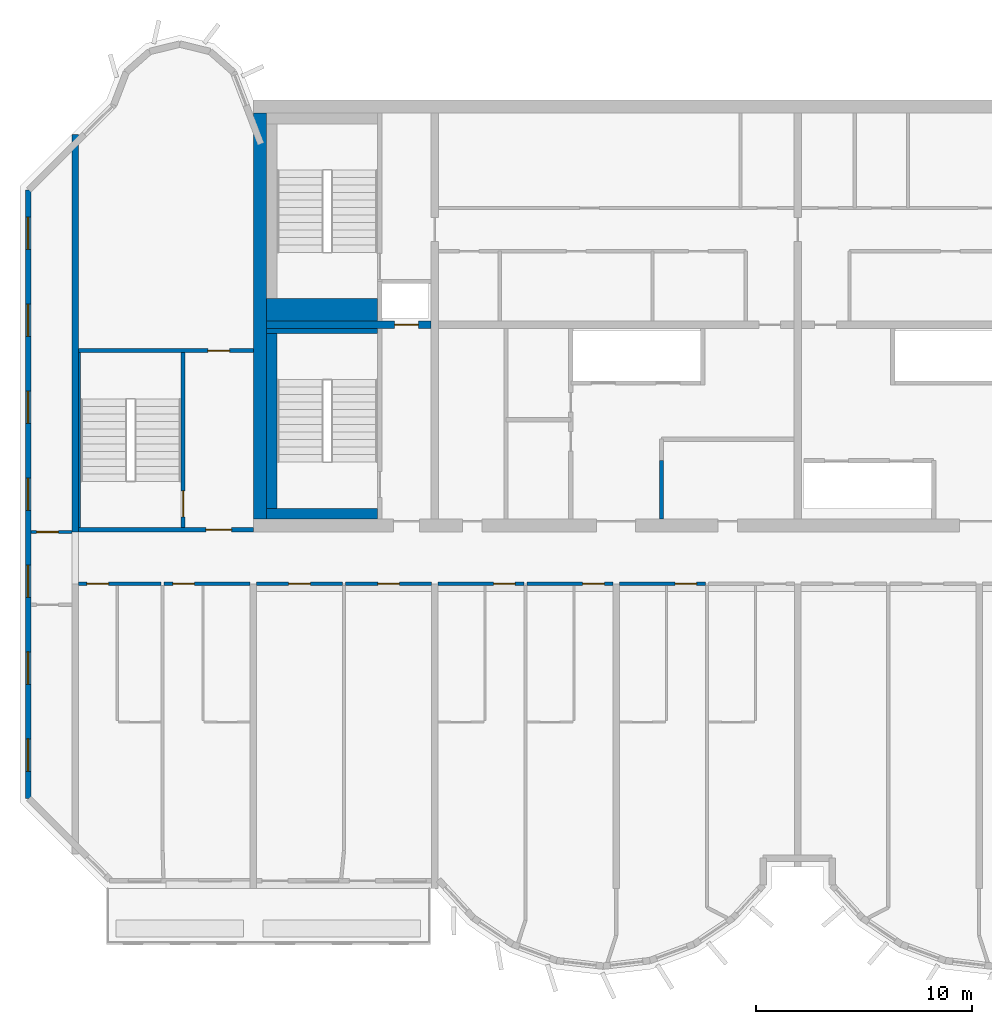
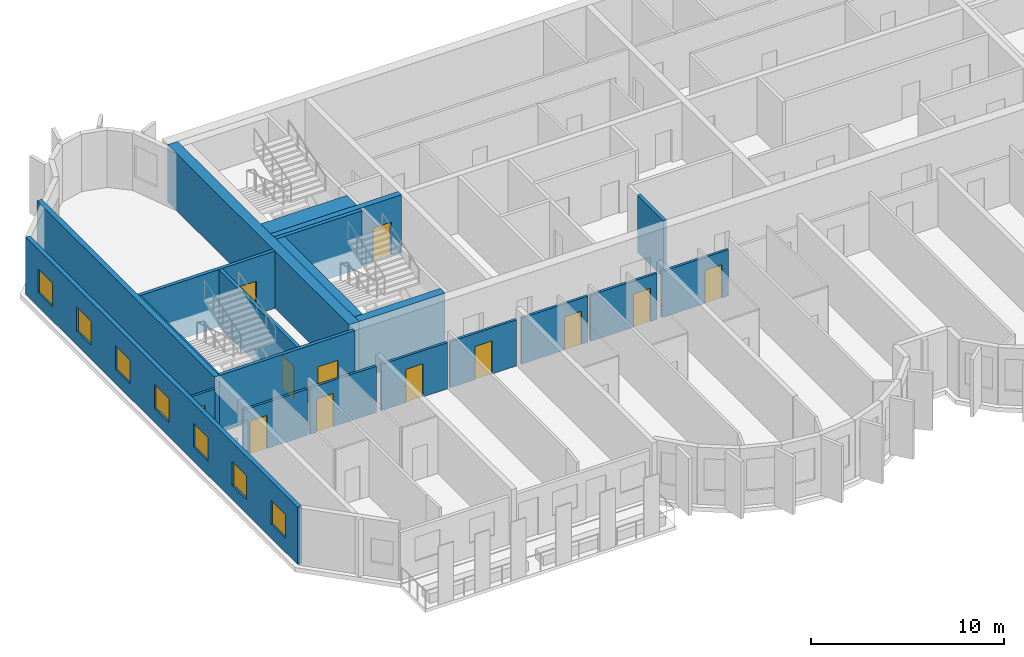
# One storey, part 3 of 11: 21 walls, 12 doors, 7 windows, 19 openings.
"""IFC4 building model written with IfcOpenShell, lengths in metres."""

from ifc_helpers import new_model, si_unit, direction, frame, frame_2d, origin, place, context, subcontext, project, spatial, rectangle, extrude, source, transform, mapped, material, layer, layer_set, type_object, element, fill, save


model = new_model("IFC4")

# Units and contexts
model_context = context("Model", 3, precision=1e-05, world=origin(), true_north=direction((0.0, 1.0)))
body_context = subcontext(model_context, "Body", "Model", "MODEL_VIEW")
ifc_project = project(units=[si_unit("LENGTHUNIT", "METRE"), si_unit("AREAUNIT", "SQUARE_METRE"), si_unit("VOLUMEUNIT", "CUBIC_METRE"), si_unit("PLANEANGLEUNIT", "RADIAN"), si_unit("MASSUNIT", "GRAM", prefix="KILO")], contexts=[model_context])

# Site, building, storey
site_placement = place(None, origin())
site = spatial("IfcSite", under=ifc_project, at=site_placement, CompositionType="ELEMENT")
building_placement = place(site_placement, origin())
building = spatial("IfcBuilding", under=site, at=building_placement, Name="Vanashikhar Sky Hotel", CompositionType="ELEMENT")
storey_placement = place(building_placement, frame((0.0, 0.0, 245.199951171875)))
storey = spatial("IfcBuildingStorey", under=building, at=storey_placement, Name="L59", CompositionType="ELEMENT", Elevation=245.199951171875)

# Wall
ifc_material_1 = material(Name="Concrete M60", Category="concrete")
ifc_layer_1 = layer(ifc_material_1, 0.60009765625)
ifc_layer_set_1 = layer_set([ifc_layer_1], Name="RC core shell wall 600 Concrete M60")
wall_type_1 = type_object("IfcWallType", Name="RC core shell wall 600 Concrete M60", PredefinedType="SHEAR", material=ifc_layer_set_1)
shared_shape_1 = source(origin(), body_context, "Body", "SweptSolid", [
    extrude(rectangle(XDim=18.7998046875, YDim=0.60009765625, at=frame_2d((9.39990234375, 0.0))), origin(), (0.0, 0.0, 1.0), 3.6201171875),
])
wall_1_placement = place(storey_placement, frame((25.5, 22.60009765625, 0.0), z_axis=(0.0, 0.0, 1.0), x_axis=(0.0, 1.0, 0.0)))
element("IfcWall", 1, at=wall_1_placement, inside=storey, type_object=wall_type_1, Name="KW-L59-KW", PredefinedType="SHEAR", context=body_context, shape_type="MappedRepresentation", body=[
    mapped(shared_shape_1, transform((0.0, 0.0, 0.0), scale=1.0)),
])

# Wall, opening, door
ifc_layer_2 = layer(ifc_material_1, 0.35009765625)
ifc_layer_set_2 = layer_set([ifc_layer_2], Name="RC core inner wall 350 Concrete M60")
wall_type_2 = type_object("IfcWallType", Name="RC core inner wall 350 Concrete M60", PredefinedType="SHEAR", material=ifc_layer_set_2)
shared_shape_2 = source(origin(), body_context, "Body", "SweptSolid", [
    extrude(rectangle(XDim=7.625, YDim=0.35009765625, at=frame_2d((3.8125, 0.0))), origin(), (0.0, 0.0, 1.0), 3.6201171875),
])
wall_2_placement = place(storey_placement, frame((25.800048828125, 31.60009765625, 0.0), z_axis=(0.0, 0.0, 1.0), x_axis=(1.0, 0.0, 0.0)))
wall_2 = element("IfcWall", 2, at=wall_2_placement, inside=storey, type_object=wall_type_2, Name="KW-L59-KY1", PredefinedType="SHEAR", context=body_context, shape_type="MappedRepresentation", body=[
    mapped(shared_shape_2, transform((0.0, 0.0, 0.0), scale=1.0)),
])
shared_shape_3 = source(origin(), body_context, "Body", "SweptSolid", [
    extrude(rectangle(XDim=1.10009765625, YDim=2.10009765625, at=frame_2d((0.550048828125, 1.050048828125))), frame((0.0, 0.18505859375, 0.0), z_axis=(0.0, -1.0, 0.0), x_axis=(1.0, 0.0, 0.0)), (0.0, 0.0, 1.0), 0.3701171875),
])
opening_1_placement = place(wall_2_placement, frame((5.93798828125, 0.0, 0.0)))
opening_1 = element("IfcOpeningElement", 3, at=opening_1_placement, cuts=wall_2, Name="Opening LD", PredefinedType="OPENING", context=body_context, shape_type="MappedRepresentation", body=[
    mapped(shared_shape_3, transform((0.0, 0.0, 0.0), scale=1.0)),
])
ifc_material_2 = material(Name="Stainless steel", Category="steel")
door_type_1 = type_object("IfcDoorType", Name="Lift landing door 1100", OperationType="NOTDEFINED", PredefinedType="DOOR", material=ifc_material_2)
shared_shape_4 = source(origin(), body_context, "Body", "SweptSolid", [
    extrude(rectangle(XDim=1.10009765625, YDim=2.10009765625, at=frame_2d((0.550048828125, 1.050048828125))), frame((0.0, 0.02490234375, 0.0), z_axis=(0.0, -1.0, 0.0), x_axis=(1.0, 0.0, 0.0)), (0.0, 0.0, 1.0), 0.050048828125),
])
door_1_placement = place(opening_1_placement, origin())
door_1 = element("IfcDoor", 4, at=door_1_placement, inside=storey, type_object=door_type_1, Name="Lift landing door 1100", OperationType="SLIDING_TO_RIGHT", OverallHeight=2.10009765625, OverallWidth=1.10009765625, PredefinedType="DOOR", context=body_context, shape_type="MappedRepresentation", body=[
    mapped(shared_shape_4, transform((0.0, 0.0, 0.0), scale=1.0)),
])
fill(opening_1, door_1)

# Wall
ifc_layer_3 = layer(ifc_material_1, 0.300048828125)
ifc_layer_set_3 = layer_set([ifc_layer_3], Name="RC shear wall 300 Concrete M60")
wall_type_3 = type_object("IfcWallType", Name="RC shear wall 300 Concrete M60", PredefinedType="SHEAR", material=ifc_layer_set_3)
shared_shape_5 = source(origin(), body_context, "Body", "SweptSolid", [
    extrude(rectangle(XDim=18.39990234375, YDim=0.300048828125, at=frame_2d((9.199951171875, 0.0))), origin(), (0.0, 0.0, 1.0), 3.6201171875),
])
wall_3_placement = place(storey_placement, frame((16.949951171875, 22.0, 0.0), z_axis=(0.0, 0.0, 1.0), x_axis=(0.0, 1.0, 0.0)))
element("IfcWall", 5, at=wall_3_placement, inside=storey, type_object=wall_type_3, Name="CW-L59-XW03-2", PredefinedType="SHEAR", context=body_context, shape_type="MappedRepresentation", body=[
    mapped(shared_shape_5, transform((0.0, 0.0, 0.0), scale=1.0)),
])

# Wall, openings, windows
ifc_material_3 = material(Name="Concrete M50", Category="concrete")
ifc_layer_4 = layer(ifc_material_3, 0.25)
ifc_layer_set_4 = layer_set([ifc_layer_4], Name="Rear and end board-marked wall 250")
wall_type_4 = type_object("IfcWallType", Name="Rear and end board-marked wall 250", PredefinedType="SOLIDWALL", material=ifc_layer_set_4)
shared_shape_6 = source(origin(), body_context, "Body", "SweptSolid", [
    extrude(rectangle(XDim=28.189453125, YDim=0.25, at=frame_2d((14.0947265625, 0.0))), origin(), (0.0, 0.0, 1.0), 3.6201171875),
])
wall_4_placement = place(storey_placement, frame((14.77490234375, 37.8447265625, 0.0), z_axis=(0.0, 0.0, 1.0), x_axis=(0.0, -1.0, 0.0)))
wall_4 = element("IfcWall", 6, at=wall_4_placement, inside=storey, type_object=wall_type_4, Name="End board-marked wall", PredefinedType="SOLIDWALL", context=body_context, shape_type="MappedRepresentation", body=[
    mapped(shared_shape_6, transform((0.0, 0.0, 0.0), scale=1.0)),
])
shared_shape_7 = source(origin(), body_context, "Body", "SweptSolid", [
    extrude(rectangle(XDim=1.5, YDim=1.5, at=frame_2d((0.75, 0.75))), frame((0.0, 0.135009765625, 0.0), z_axis=(0.0, -1.0, 0.0), x_axis=(1.0, 0.0, 0.0)), (0.0, 0.0, 1.0), 0.27001953125),
])
opening_2_placement = place(wall_4_placement, frame((1.263427734375, 0.0, 0.89990234375)))
opening_2 = element("IfcOpeningElement", 7, at=opening_2_placement, cuts=wall_4, Name="Opening WN-1", PredefinedType="OPENING", context=body_context, shape_type="MappedRepresentation", body=[
    mapped(shared_shape_7, transform((0.0, 0.0, 0.0), scale=1.0)),
])
opening_3_placement = place(wall_4_placement, frame((5.29052734375, 0.0, 0.89990234375)))
opening_3 = element("IfcOpeningElement", 8, at=opening_3_placement, cuts=wall_4, Name="Opening WN-1", PredefinedType="OPENING", context=body_context, shape_type="MappedRepresentation", body=[
    mapped(shared_shape_7, transform((0.0, 0.0, 0.0), scale=1.0)),
])
opening_4_placement = place(wall_4_placement, frame((9.317626953125, 0.0, 0.89990234375)))
opening_4 = element("IfcOpeningElement", 9, at=opening_4_placement, cuts=wall_4, Name="Opening WN-1", PredefinedType="OPENING", context=body_context, shape_type="MappedRepresentation", body=[
    mapped(shared_shape_7, transform((0.0, 0.0, 0.0), scale=1.0)),
])
opening_5_placement = place(wall_4_placement, frame((13.3447265625, 0.0, 0.89990234375)))
opening_5 = element("IfcOpeningElement", 10, at=opening_5_placement, cuts=wall_4, Name="Opening WN-1", PredefinedType="OPENING", context=body_context, shape_type="MappedRepresentation", body=[
    mapped(shared_shape_7, transform((0.0, 0.0, 0.0), scale=1.0)),
])
opening_6_placement = place(wall_4_placement, frame((17.371826171875, 0.0, 0.89990234375)))
opening_6 = element("IfcOpeningElement", 11, at=opening_6_placement, cuts=wall_4, Name="Opening WN-1", PredefinedType="OPENING", context=body_context, shape_type="MappedRepresentation", body=[
    mapped(shared_shape_7, transform((0.0, 0.0, 0.0), scale=1.0)),
])
opening_7_placement = place(wall_4_placement, frame((21.398681640625, 0.0, 0.89990234375)))
opening_7 = element("IfcOpeningElement", 12, at=opening_7_placement, cuts=wall_4, Name="Opening WN-1", PredefinedType="OPENING", context=body_context, shape_type="MappedRepresentation", body=[
    mapped(shared_shape_7, transform((0.0, 0.0, 0.0), scale=1.0)),
])
opening_8_placement = place(wall_4_placement, frame((25.42578125, 0.0, 0.89990234375)))
opening_8 = element("IfcOpeningElement", 13, at=opening_8_placement, cuts=wall_4, Name="Opening WN-1", PredefinedType="OPENING", context=body_context, shape_type="MappedRepresentation", body=[
    mapped(shared_shape_7, transform((0.0, 0.0, 0.0), scale=1.0)),
])
ifc_material_4 = material(Name="Glass", Category="glass")
window_type = type_object("IfcWindowType", Name="Window 1500 x 1500", PartitioningType="SINGLE_PANEL", PredefinedType="WINDOW", material=ifc_material_4)
shared_shape_8 = source(origin(), body_context, "Body", "SweptSolid", [
    extrude(rectangle(XDim=1.5, YDim=1.5, at=frame_2d((0.75, 0.75))), frame((0.0, 0.030029296875, 0.0), z_axis=(0.0, -1.0, 0.0), x_axis=(1.0, 0.0, 0.0)), (0.0, 0.0, 1.0), 0.06005859375),
])
window_1_placement = place(opening_2_placement, origin())
window_1 = element("IfcWindow", 14, at=window_1_placement, inside=storey, type_object=window_type, Name="Window WN-1", OverallHeight=1.5, OverallWidth=1.5, PartitioningType="SINGLE_PANEL", PredefinedType="WINDOW", context=body_context, shape_type="MappedRepresentation", body=[
    mapped(shared_shape_8, transform((0.0, 0.0, 0.0), scale=1.0)),
])
fill(opening_2, window_1)
window_2_placement = place(opening_3_placement, origin())
window_2 = element("IfcWindow", 15, at=window_2_placement, inside=storey, type_object=window_type, Name="Window WN-1", OverallHeight=1.5, OverallWidth=1.5, PartitioningType="SINGLE_PANEL", PredefinedType="WINDOW", context=body_context, shape_type="MappedRepresentation", body=[
    mapped(shared_shape_8, transform((0.0, 0.0, 0.0), scale=1.0)),
])
fill(opening_3, window_2)
window_3_placement = place(opening_4_placement, origin())
window_3 = element("IfcWindow", 16, at=window_3_placement, inside=storey, type_object=window_type, Name="Window WN-1", OverallHeight=1.5, OverallWidth=1.5, PartitioningType="SINGLE_PANEL", PredefinedType="WINDOW", context=body_context, shape_type="MappedRepresentation", body=[
    mapped(shared_shape_8, transform((0.0, 0.0, 0.0), scale=1.0)),
])
fill(opening_4, window_3)
window_4_placement = place(opening_5_placement, origin())
window_4 = element("IfcWindow", 17, at=window_4_placement, inside=storey, type_object=window_type, Name="Window WN-1", OverallHeight=1.5, OverallWidth=1.5, PartitioningType="SINGLE_PANEL", PredefinedType="WINDOW", context=body_context, shape_type="MappedRepresentation", body=[
    mapped(shared_shape_8, transform((0.0, 0.0, 0.0), scale=1.0)),
])
fill(opening_5, window_4)
window_5_placement = place(opening_6_placement, origin())
window_5 = element("IfcWindow", 18, at=window_5_placement, inside=storey, type_object=window_type, Name="Window WN-1", OverallHeight=1.5, OverallWidth=1.5, PartitioningType="SINGLE_PANEL", PredefinedType="WINDOW", context=body_context, shape_type="MappedRepresentation", body=[
    mapped(shared_shape_8, transform((0.0, 0.0, 0.0), scale=1.0)),
])
fill(opening_6, window_5)
window_6_placement = place(opening_7_placement, origin())
window_6 = element("IfcWindow", 19, at=window_6_placement, inside=storey, type_object=window_type, Name="Window WN-1", OverallHeight=1.5, OverallWidth=1.5, PartitioningType="SINGLE_PANEL", PredefinedType="WINDOW", context=body_context, shape_type="MappedRepresentation", body=[
    mapped(shared_shape_8, transform((0.0, 0.0, 0.0), scale=1.0)),
])
fill(opening_7, window_6)
window_7_placement = place(opening_8_placement, origin())
window_7 = element("IfcWindow", 20, at=window_7_placement, inside=storey, type_object=window_type, Name="Window WN-1", OverallHeight=1.5, OverallWidth=1.5, PartitioningType="SINGLE_PANEL", PredefinedType="WINDOW", context=body_context, shape_type="MappedRepresentation", body=[
    mapped(shared_shape_8, transform((0.0, 0.0, 0.0), scale=1.0)),
])
fill(opening_8, window_7)

# Wall
ifc_material_5 = material(Name="Gypsum board partition")
ifc_layer_5 = layer(ifc_material_5, 0.14990234375)
ifc_layer_set_5 = layer_set([ifc_layer_5], Name="Service partition 150")
wall_type_5 = type_object("IfcWallType", Name="Service partition 150", PredefinedType="PARTITIONING", material=ifc_layer_set_5)
shared_shape_9 = source(origin(), body_context, "Body", "SweptSolid", [
    extrude(rectangle(XDim=2.699951171875, YDim=0.199951171875, at=frame_2d((1.35009765625, 0.0))), origin(), (0.0, 0.0, 1.0), 3.6201171875),
])
wall_5_placement = place(storey_placement, frame((44.10009765625, 22.60009765625, 0.0), z_axis=(0.0, 0.0, 1.0), x_axis=(0.0, 1.0, 0.0)))
element("IfcWall", 21, at=wall_5_placement, inside=storey, type_object=wall_type_5, Name="Service partition 150", PredefinedType="PARTITIONING", context=body_context, shape_type="MappedRepresentation", body=[
    mapped(shared_shape_9, transform((0.0, 0.0, 0.0), scale=1.0)),
])

# Wall, opening, door
ifc_layer_6 = layer(ifc_material_3, 0.199951171875)
ifc_layer_set_6 = layer_set([ifc_layer_6], Name="Stair wall 200")
wall_type_6 = type_object("IfcWallType", Name="Stair wall 200", PredefinedType="SOLIDWALL", material=ifc_layer_set_6)
shared_shape_10 = source(origin(), body_context, "Body", "SweptSolid", [
    extrude(rectangle(XDim=8.2998046875, YDim=0.199951171875, at=frame_2d((4.14990234375, 0.0))), origin(), (0.0, 0.0, 1.0), 3.6201171875),
])
wall_6_placement = place(storey_placement, frame((21.949951171875, 22.10009765625, 0.0), z_axis=(0.0, 0.0, 1.0), x_axis=(0.0, 1.0, 0.0)))
wall_6 = element("IfcWall", 22, at=wall_6_placement, inside=storey, type_object=wall_type_6, Name="Stair wall 200", PredefinedType="SOLIDWALL", context=body_context, shape_type="MappedRepresentation", body=[
    mapped(shared_shape_10, transform((0.0, 0.0, 0.0), scale=1.0)),
])
shared_shape_11 = source(origin(), body_context, "Body", "SweptSolid", [
    extrude(rectangle(XDim=1.199951171875, YDim=2.10009765625, at=frame_2d((0.60009765625, 1.050048828125))), frame((0.0, 0.10986328125, 0.0), z_axis=(0.0, -1.0, 0.0), x_axis=(1.0, 0.0, 0.0)), (0.0, 0.0, 1.0), 0.219970703125),
])
opening_9_placement = place(wall_6_placement, frame((0.60009765625, 0.0, 0.0)))
opening_9 = element("IfcOpeningElement", 23, at=opening_9_placement, cuts=wall_6, Name="Opening DC-1", PredefinedType="OPENING", context=body_context, shape_type="MappedRepresentation", body=[
    mapped(shared_shape_11, transform((0.0, 0.0, 0.0), scale=1.0)),
])
ifc_material_6 = material(Name="Steel", Category="steel")
door_type_2 = type_object("IfcDoorType", Name="Stair door 1200 FD120", OperationType="NOTDEFINED", PredefinedType="DOOR", material=ifc_material_6)
shared_shape_12 = source(origin(), body_context, "Body", "SweptSolid", [
    extrude(rectangle(XDim=1.199951171875, YDim=2.10009765625, at=frame_2d((0.60009765625, 1.050048828125))), frame((0.0, 0.02490234375, 0.0), z_axis=(0.0, -1.0, 0.0), x_axis=(1.0, 0.0, 0.0)), (0.0, 0.0, 1.0), 0.050048828125),
])
door_2_placement = place(opening_9_placement, origin())
door_2 = element("IfcDoor", 24, at=door_2_placement, inside=storey, type_object=door_type_2, Name="Stair door 1200 FD120", OperationType="SINGLE_SWING_RIGHT", OverallHeight=2.10009765625, OverallWidth=1.199951171875, PredefinedType="DOOR", context=body_context, shape_type="MappedRepresentation", body=[
    mapped(shared_shape_12, transform((0.0, 0.0, 0.0), scale=1.0)),
])
fill(opening_9, door_2)

shared_shape_13 = source(origin(), body_context, "Body", "SweptSolid", [
    extrude(rectangle(XDim=8.099853515625, YDim=0.199951171875, at=frame_2d((4.0498046875, 0.0))), origin(), (0.0, 0.0, 1.0), 3.6201171875),
])
wall_7_placement = place(storey_placement, frame((17.10009765625, 22.10009765625, 0.0), z_axis=(0.0, 0.0, 1.0), x_axis=(1.0, 0.0, 0.0)))
wall_7 = element("IfcWall", 25, at=wall_7_placement, inside=storey, type_object=wall_type_6, Name="Stair wall 200", PredefinedType="SOLIDWALL", context=body_context, shape_type="MappedRepresentation", body=[
    mapped(shared_shape_13, transform((0.0, 0.0, 0.0), scale=1.0)),
])
opening_10_placement = place(wall_7_placement, frame((5.89990234375, 0.0, 0.0)))
opening_10 = element("IfcOpeningElement", 26, at=opening_10_placement, cuts=wall_7, Name="Opening DC-2", PredefinedType="OPENING", context=body_context, shape_type="MappedRepresentation", body=[
    mapped(shared_shape_11, transform((0.0, 0.0, 0.0), scale=1.0)),
])
door_type_3 = type_object("IfcDoorType", Name="Firefighting lobby door 1200 FD120", OperationType="NOTDEFINED", PredefinedType="DOOR", material=ifc_material_6)
door_3_placement = place(opening_10_placement, origin())
door_3 = element("IfcDoor", 27, at=door_3_placement, inside=storey, type_object=door_type_3, Name="Firefighting lobby door 1200 FD120", OperationType="SINGLE_SWING_LEFT", OverallHeight=2.10009765625, OverallWidth=1.199951171875, PredefinedType="DOOR", context=body_context, shape_type="MappedRepresentation", body=[
    mapped(shared_shape_12, transform((0.0, 0.0, 0.0), scale=1.0)),
])
fill(opening_10, door_3)

wall_8_placement = place(storey_placement, frame((17.10009765625, 30.39990234375, 0.0), z_axis=(0.0, 0.0, 1.0), x_axis=(1.0, 0.0, 0.0)))
wall_8 = element("IfcWall", 28, at=wall_8_placement, inside=storey, type_object=wall_type_6, Name="Stair wall 200", PredefinedType="SOLIDWALL", context=body_context, shape_type="MappedRepresentation", body=[
    mapped(shared_shape_13, transform((0.0, 0.0, 0.0), scale=1.0)),
])
shared_shape_14 = source(origin(), body_context, "Body", "SweptSolid", [
    extrude(rectangle(XDim=1.0, YDim=2.10009765625, at=frame_2d((0.5, 1.050048828125))), frame((0.0, 0.10986328125, 0.0), z_axis=(0.0, -1.0, 0.0), x_axis=(1.0, 0.0, 0.0)), (0.0, 0.0, 1.0), 0.219970703125),
])
opening_11_placement = place(wall_8_placement, frame((6.0, 0.0, 0.0)))
opening_11 = element("IfcOpeningElement", 29, at=opening_11_placement, cuts=wall_8, Name="Opening DC-6", PredefinedType="OPENING", context=body_context, shape_type="MappedRepresentation", body=[
    mapped(shared_shape_14, transform((0.0, 0.0, 0.0), scale=1.0)),
])
door_type_4 = type_object("IfcDoorType", Name="Pocket door 1000 FD60", OperationType="NOTDEFINED", PredefinedType="DOOR", material=ifc_material_6)
shared_shape_15 = source(origin(), body_context, "Body", "SweptSolid", [
    extrude(rectangle(XDim=1.0, YDim=2.10009765625, at=frame_2d((0.5, 1.050048828125))), frame((0.0, 0.02490234375, 0.0), z_axis=(0.0, -1.0, 0.0), x_axis=(1.0, 0.0, 0.0)), (0.0, 0.0, 1.0), 0.050048828125),
])
door_4_placement = place(opening_11_placement, origin())
door_4 = element("IfcDoor", 30, at=door_4_placement, inside=storey, type_object=door_type_4, Name="Pocket door 1000 FD60", OperationType="SINGLE_SWING_LEFT", OverallHeight=2.10009765625, OverallWidth=1.0, PredefinedType="DOOR", context=body_context, shape_type="MappedRepresentation", body=[
    mapped(shared_shape_15, transform((0.0, 0.0, 0.0), scale=1.0)),
])
fill(opening_11, door_4)

# Walls
ifc_layer_7 = layer(ifc_material_3, 0.5)
ifc_layer_set_7 = layer_set([ifc_layer_7], Name="Stair infill wall 500")
wall_type_7 = type_object("IfcWallType", Name="Stair infill wall 500", PredefinedType="SOLIDWALL", material=ifc_layer_set_7)
shared_shape_16 = source(origin(), body_context, "Body", "SweptSolid", [
    extrude(rectangle(XDim=5.14990234375, YDim=0.5, at=frame_2d((2.574951171875, 0.0))), origin(), (0.0, 0.0, 1.0), 3.6201171875),
])
wall_9_placement = place(storey_placement, frame((25.800048828125, 22.85009765625, 0.0), z_axis=(0.0, 0.0, 1.0), x_axis=(1.0, 0.0, 0.0)))
element("IfcWall", 31, at=wall_9_placement, inside=storey, type_object=wall_type_7, Name="Stair infill wall 500", PredefinedType="SOLIDWALL", context=body_context, shape_type="MappedRepresentation", body=[
    mapped(shared_shape_16, transform((0.0, 0.0, 0.0), scale=1.0)),
])
ifc_layer_8 = layer(ifc_material_3, 0.22509765625)
ifc_layer_set_8 = layer_set([ifc_layer_8], Name="Stair infill wall 225")
wall_type_8 = type_object("IfcWallType", Name="Stair infill wall 225", PredefinedType="SOLIDWALL", material=ifc_layer_set_8)
shared_shape_17 = source(origin(), body_context, "Body", "SweptSolid", [
    extrude(rectangle(XDim=5.14990234375, YDim=0.22509765625, at=frame_2d((2.574951171875, 0.0))), origin(), (0.0, 0.0, 1.0), 3.6201171875),
])
wall_10_placement = place(storey_placement, frame((25.800048828125, 31.31201171875, 0.0), z_axis=(0.0, 0.0, 1.0), x_axis=(1.0, 0.0, 0.0)))
element("IfcWall", 32, at=wall_10_placement, inside=storey, type_object=wall_type_8, Name="Stair infill wall 225", PredefinedType="SOLIDWALL", context=body_context, shape_type="MappedRepresentation", body=[
    mapped(shared_shape_17, transform((0.0, 0.0, 0.0), scale=1.0)),
])
shared_shape_18 = source(origin(), body_context, "Body", "SweptSolid", [
    extrude(rectangle(XDim=8.099853515625, YDim=0.5, at=frame_2d((4.0498046875, 0.0))), origin(), (0.0, 0.0, 1.0), 3.6201171875),
])
wall_11_placement = place(storey_placement, frame((26.050048828125, 23.10009765625, 0.0), z_axis=(0.0, 0.0, 1.0), x_axis=(0.0, 1.0, 0.0)))
element("IfcWall", 33, at=wall_11_placement, inside=storey, type_object=wall_type_7, Name="Stair infill wall 500", PredefinedType="SOLIDWALL", context=body_context, shape_type="MappedRepresentation", body=[
    mapped(shared_shape_18, transform((0.0, 0.0, 0.0), scale=1.0)),
])
ifc_layer_9 = layer(ifc_material_3, 0.10009765625)
ifc_layer_set_9 = layer_set([ifc_layer_9], Name="Stair infill wall 100")
wall_type_9 = type_object("IfcWallType", Name="Stair infill wall 100", PredefinedType="SOLIDWALL", material=ifc_layer_set_9)
shared_shape_19 = source(origin(), body_context, "Body", "SweptSolid", [
    extrude(rectangle(XDim=8.10009765625, YDim=0.10009765625, at=frame_2d((4.050048828125, 0.0))), origin(), (0.0, 0.0, 1.0), 3.6201171875),
])
wall_12_placement = place(storey_placement, frame((17.14990234375, 22.199951171875, 0.0), z_axis=(0.0, 0.0, 1.0), x_axis=(0.0, 1.0, 0.0)))
element("IfcWall", 34, at=wall_12_placement, inside=storey, type_object=wall_type_9, Name="Stair infill wall 100", PredefinedType="SOLIDWALL", context=body_context, shape_type="MappedRepresentation", body=[
    mapped(shared_shape_19, transform((0.0, 0.0, 0.0), scale=1.0)),
])
ifc_layer_10 = layer(ifc_material_3, 1.02490234375)
ifc_layer_set_10 = layer_set([ifc_layer_10], Name="Stair infill wall 1025")
wall_type_10 = type_object("IfcWallType", Name="Stair infill wall 1025", PredefinedType="SOLIDWALL", material=ifc_layer_set_10)
shared_shape_20 = source(origin(), body_context, "Body", "SweptSolid", [
    extrude(rectangle(XDim=5.14990234375, YDim=1.02490234375, at=frame_2d((2.574951171875, 0.0))), origin(), (0.0, 0.0, 1.0), 3.6201171875),
])
wall_13_placement = place(storey_placement, frame((25.800048828125, 32.287109375, 0.0), z_axis=(0.0, 0.0, 1.0), x_axis=(1.0, 0.0, 0.0)))
element("IfcWall", 35, at=wall_13_placement, inside=storey, type_object=wall_type_10, Name="Stair infill wall 1025", PredefinedType="SOLIDWALL", context=body_context, shape_type="MappedRepresentation", body=[
    mapped(shared_shape_20, transform((0.0, 0.0, 0.0), scale=1.0)),
])

# Wall, opening, door
ifc_material_7 = material(Name="Gypsum plasterboard partition")
ifc_layer_11 = layer(ifc_material_7, 0.14990234375)
ifc_layer_set_11 = layer_set([ifc_layer_11], Name="Corridor and demising partition 150")
wall_type_11 = type_object("IfcWallType", Name="Corridor and demising partition 150", PredefinedType="PARTITIONING", material=ifc_layer_set_11)
shared_shape_21 = source(origin(), body_context, "Body", "SweptSolid", [
    extrude(rectangle(XDim=3.824951171875, YDim=0.14990234375, at=frame_2d((1.91259765625, 0.0))), origin(), (0.0, 0.0, 1.0), 2.920166015625),
])
wall_14_placement = place(storey_placement, frame((17.10009765625, 19.60009765625, 0.0), z_axis=(0.0, 0.0, 1.0), x_axis=(1.0, 0.0, 0.0)))
wall_14 = element("IfcWall", 36, at=wall_14_placement, inside=storey, type_object=wall_type_11, Name="W-L59-PW003", PredefinedType="PARTITIONING", context=body_context, shape_type="MappedRepresentation", body=[
    mapped(shared_shape_21, transform((0.0, 0.0, 0.0), scale=1.0)),
])
shared_shape_22 = source(origin(), body_context, "Body", "SweptSolid", [
    extrude(rectangle(XDim=1.0, YDim=2.10009765625, at=frame_2d((0.5, 1.050048828125))), frame((0.0, 0.0849609375, 0.0), z_axis=(0.0, -1.0, 0.0), x_axis=(1.0, 0.0, 0.0)), (0.0, 0.0, 1.0), 0.169921875),
])
opening_12_placement = place(wall_14_placement, frame((0.39990234375, 0.0, 0.0)))
opening_12 = element("IfcOpeningElement", 37, at=opening_12_placement, cuts=wall_14, Name="Opening D-01", PredefinedType="OPENING", context=body_context, shape_type="MappedRepresentation", body=[
    mapped(shared_shape_22, transform((0.0, 0.0, 0.0), scale=1.0)),
])
ifc_material_8 = material(Name="Timber fire door", Category="wood")
door_type_5 = type_object("IfcDoorType", Name="Guest entry door 1000 FD30S", OperationType="NOTDEFINED", PredefinedType="DOOR", material=ifc_material_8)
door_5_placement = place(opening_12_placement, origin())
door_5 = element("IfcDoor", 38, at=door_5_placement, inside=storey, type_object=door_type_5, Name="D-L59-002", OperationType="SINGLE_SWING_LEFT", OverallHeight=2.10009765625, OverallWidth=1.0, PredefinedType="DOOR", context=body_context, shape_type="MappedRepresentation", body=[
    mapped(shared_shape_15, transform((0.0, 0.0, 0.0), scale=1.0)),
])
fill(opening_12, door_5)

shared_shape_23 = source(origin(), body_context, "Body", "SweptSolid", [
    extrude(rectangle(XDim=3.97509765625, YDim=0.14990234375, at=frame_2d((1.987548828125, 0.0))), origin(), (0.0, 0.0, 1.0), 2.920166015625),
])
wall_15_placement = place(storey_placement, frame((21.074951171875, 19.60009765625, 0.0), z_axis=(0.0, 0.0, 1.0), x_axis=(1.0, 0.0, 0.0)))
wall_15 = element("IfcWall", 39, at=wall_15_placement, inside=storey, type_object=wall_type_11, Name="W-L59-PW006", PredefinedType="PARTITIONING", context=body_context, shape_type="MappedRepresentation", body=[
    mapped(shared_shape_23, transform((0.0, 0.0, 0.0), scale=1.0)),
])
opening_13_placement = place(wall_15_placement, frame((0.39990234375, 0.0, 0.0)))
opening_13 = element("IfcOpeningElement", 40, at=opening_13_placement, cuts=wall_15, Name="Opening D-01", PredefinedType="OPENING", context=body_context, shape_type="MappedRepresentation", body=[
    mapped(shared_shape_22, transform((0.0, 0.0, 0.0), scale=1.0)),
])
door_6_placement = place(opening_13_placement, origin())
door_6 = element("IfcDoor", 41, at=door_6_placement, inside=storey, type_object=door_type_5, Name="D-L59-004", OperationType="SINGLE_SWING_LEFT", OverallHeight=2.10009765625, OverallWidth=1.0, PredefinedType="DOOR", context=body_context, shape_type="MappedRepresentation", body=[
    mapped(shared_shape_15, transform((0.0, 0.0, 0.0), scale=1.0)),
])
fill(opening_13, door_6)

wall_16_placement = place(storey_placement, frame((33.75, 19.60009765625, 0.0), z_axis=(0.0, 0.0, 1.0), x_axis=(1.0, 0.0, 0.0)))
wall_16 = element("IfcWall", 42, at=wall_16_placement, inside=storey, type_object=wall_type_11, Name="W-L59-PW013", PredefinedType="PARTITIONING", context=body_context, shape_type="MappedRepresentation", body=[
    mapped(shared_shape_23, transform((0.0, 0.0, 0.0), scale=1.0)),
])
opening_14_placement = place(wall_16_placement, frame((2.574951171875, 0.0, 0.0)))
opening_14 = element("IfcOpeningElement", 43, at=opening_14_placement, cuts=wall_16, Name="Opening D-01", PredefinedType="OPENING", context=body_context, shape_type="MappedRepresentation", body=[
    mapped(shared_shape_22, transform((0.0, 0.0, 0.0), scale=1.0)),
])
door_7_placement = place(opening_14_placement, origin())
door_7 = element("IfcDoor", 44, at=door_7_placement, inside=storey, type_object=door_type_5, Name="D-L59-008", OperationType="SINGLE_SWING_RIGHT", OverallHeight=2.10009765625, OverallWidth=1.0, PredefinedType="DOOR", context=body_context, shape_type="MappedRepresentation", body=[
    mapped(shared_shape_15, transform((0.0, 0.0, 0.0), scale=1.0)),
])
fill(opening_14, door_7)

wall_17_placement = place(storey_placement, frame((37.875, 19.60009765625, 0.0), z_axis=(0.0, 0.0, 1.0), x_axis=(1.0, 0.0, 0.0)))
wall_17 = element("IfcWall", 45, at=wall_17_placement, inside=storey, type_object=wall_type_11, Name="W-L59-PW016", PredefinedType="PARTITIONING", context=body_context, shape_type="MappedRepresentation", body=[
    mapped(shared_shape_23, transform((0.0, 0.0, 0.0), scale=1.0)),
])
opening_15_placement = place(wall_17_placement, frame((2.574951171875, 0.0, 0.0)))
opening_15 = element("IfcOpeningElement", 46, at=opening_15_placement, cuts=wall_17, Name="Opening D-01", PredefinedType="OPENING", context=body_context, shape_type="MappedRepresentation", body=[
    mapped(shared_shape_22, transform((0.0, 0.0, 0.0), scale=1.0)),
])
door_8_placement = place(opening_15_placement, origin())
door_8 = element("IfcDoor", 47, at=door_8_placement, inside=storey, type_object=door_type_5, Name="D-L59-010", OperationType="SINGLE_SWING_RIGHT", OverallHeight=2.10009765625, OverallWidth=1.0, PredefinedType="DOOR", context=body_context, shape_type="MappedRepresentation", body=[
    mapped(shared_shape_15, transform((0.0, 0.0, 0.0), scale=1.0)),
])
fill(opening_15, door_8)

wall_18_placement = place(storey_placement, frame((42.14990234375, 19.60009765625, 0.0), z_axis=(0.0, 0.0, 1.0), x_axis=(1.0, 0.0, 0.0)))
wall_18 = element("IfcWall", 48, at=wall_18_placement, inside=storey, type_object=wall_type_11, Name="W-L59-PW020", PredefinedType="PARTITIONING", context=body_context, shape_type="MappedRepresentation", body=[
    mapped(shared_shape_23, transform((0.0, 0.0, 0.0), scale=1.0)),
])
opening_16_placement = place(wall_18_placement, frame((2.574951171875, 0.0, 0.0)))
opening_16 = element("IfcOpeningElement", 49, at=opening_16_placement, cuts=wall_18, Name="Opening D-01", PredefinedType="OPENING", context=body_context, shape_type="MappedRepresentation", body=[
    mapped(shared_shape_22, transform((0.0, 0.0, 0.0), scale=1.0)),
])
door_9_placement = place(opening_16_placement, origin())
door_9 = element("IfcDoor", 50, at=door_9_placement, inside=storey, type_object=door_type_5, Name="D-L59-012", OperationType="SINGLE_SWING_RIGHT", OverallHeight=2.10009765625, OverallWidth=1.0, PredefinedType="DOOR", context=body_context, shape_type="MappedRepresentation", body=[
    mapped(shared_shape_15, transform((0.0, 0.0, 0.0), scale=1.0)),
])
fill(opening_16, door_9)

shared_shape_24 = source(origin(), body_context, "Body", "SweptSolid", [
    extrude(rectangle(XDim=3.974853515625, YDim=0.14990234375, at=frame_2d((1.9873046875, 0.0))), origin(), (0.0, 0.0, 1.0), 2.920166015625),
])
wall_19_placement = place(storey_placement, frame((25.35009765625, 19.60009765625, 0.0), z_axis=(0.0, 0.0, 1.0), x_axis=(1.0, 0.0, 0.0)))
wall_19 = element("IfcWall", 51, at=wall_19_placement, inside=storey, type_object=wall_type_11, Name="W-L59-PW008", PredefinedType="PARTITIONING", context=body_context, shape_type="MappedRepresentation", body=[
    mapped(shared_shape_24, transform((0.0, 0.0, 0.0), scale=1.0)),
])
opening_17_placement = place(wall_19_placement, frame((1.487060546875, 0.0, 0.0)))
opening_17 = element("IfcOpeningElement", 52, at=opening_17_placement, cuts=wall_19, Name="Opening D-01", PredefinedType="OPENING", context=body_context, shape_type="MappedRepresentation", body=[
    mapped(shared_shape_22, transform((0.0, 0.0, 0.0), scale=1.0)),
])
door_10_placement = place(opening_17_placement, origin())
door_10 = element("IfcDoor", 53, at=door_10_placement, inside=storey, type_object=door_type_5, Name="D-L59-005", OperationType="SINGLE_SWING_LEFT", OverallHeight=2.10009765625, OverallWidth=1.0, PredefinedType="DOOR", context=body_context, shape_type="MappedRepresentation", body=[
    mapped(shared_shape_15, transform((0.0, 0.0, 0.0), scale=1.0)),
])
fill(opening_17, door_10)

wall_20_placement = place(storey_placement, frame((29.47509765625, 19.60009765625, 0.0), z_axis=(0.0, 0.0, 1.0), x_axis=(1.0, 0.0, 0.0)))
wall_20 = element("IfcWall", 54, at=wall_20_placement, inside=storey, type_object=wall_type_11, Name="W-L59-PW009", PredefinedType="PARTITIONING", context=body_context, shape_type="MappedRepresentation", body=[
    mapped(shared_shape_24, transform((0.0, 0.0, 0.0), scale=1.0)),
])
opening_18_placement = place(wall_20_placement, frame((1.487060546875, 0.0, 0.0)))
opening_18 = element("IfcOpeningElement", 55, at=opening_18_placement, cuts=wall_20, Name="Opening D-01", PredefinedType="OPENING", context=body_context, shape_type="MappedRepresentation", body=[
    mapped(shared_shape_22, transform((0.0, 0.0, 0.0), scale=1.0)),
])
door_11_placement = place(opening_18_placement, origin())
door_11 = element("IfcDoor", 56, at=door_11_placement, inside=storey, type_object=door_type_5, Name="D-L59-006", OperationType="SINGLE_SWING_RIGHT", OverallHeight=2.10009765625, OverallWidth=1.0, PredefinedType="DOOR", context=body_context, shape_type="MappedRepresentation", body=[
    mapped(shared_shape_15, transform((0.0, 0.0, 0.0), scale=1.0)),
])
fill(opening_18, door_11)

shared_shape_25 = source(origin(), body_context, "Body", "SweptSolid", [
    extrude(rectangle(XDim=1.900146484375, YDim=0.14990234375, at=frame_2d((0.9501953125, 0.0))), origin(), (0.0, 0.0, 1.0), 2.920166015625),
])
wall_21_placement = place(storey_placement, frame((14.89990234375, 22.0, 0.0), z_axis=(0.0, 0.0, 1.0), x_axis=(1.0, 0.0, 0.0)))
wall_21 = element("IfcWall", 57, at=wall_21_placement, inside=storey, type_object=wall_type_11, Name="W-L59-PW041", PredefinedType="PARTITIONING", context=body_context, shape_type="MappedRepresentation", body=[
    mapped(shared_shape_25, transform((0.0, 0.0, 0.0), scale=1.0)),
])
opening_19_placement = place(wall_21_placement, frame((0.27490234375, 0.0, 0.0)))
opening_19 = element("IfcOpeningElement", 58, at=opening_19_placement, cuts=wall_21, Name="Opening D-01", PredefinedType="OPENING", context=body_context, shape_type="MappedRepresentation", body=[
    mapped(shared_shape_22, transform((0.0, 0.0, 0.0), scale=1.0)),
])
door_12_placement = place(opening_19_placement, origin())
door_12 = element("IfcDoor", 59, at=door_12_placement, inside=storey, type_object=door_type_5, Name="D-L59-024", OperationType="SINGLE_SWING_LEFT", OverallHeight=2.10009765625, OverallWidth=1.0, PredefinedType="DOOR", context=body_context, shape_type="MappedRepresentation", body=[
    mapped(shared_shape_15, transform((0.0, 0.0, 0.0), scale=1.0)),
])
fill(opening_19, door_12)

save(model, "model.ifc")
